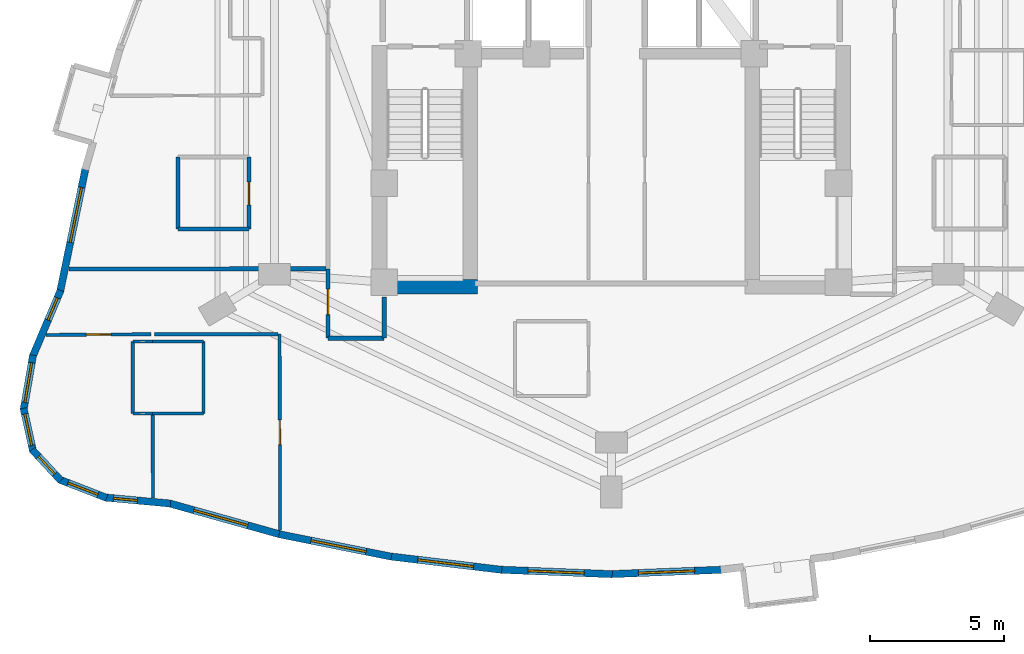
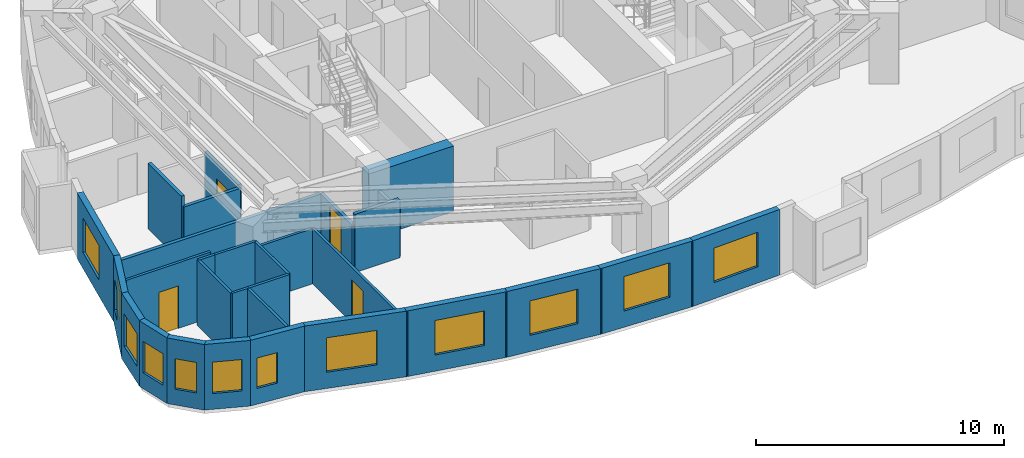
# One storey, part 8 of 14: 30 walls, 12 windows, 4 doors, 16 openings.
"""IFC4 building model written with IfcOpenShell, lengths in metres."""

from ifc_helpers import new_model, si_unit, direction, frame, frame_2d, origin, place, context, subcontext, project, spatial, rectangle, extrude, material, layer, layer_set, type_object, element, fill, save


model = new_model("IFC4")

# Units and contexts
model_context = context("Model", 3, precision=1e-05, world=origin(), true_north=direction((0.0, 1.0)))
body_context = subcontext(model_context, "Body", "Model", "MODEL_VIEW")
ifc_project = project(units=[si_unit("LENGTHUNIT", "METRE"), si_unit("AREAUNIT", "SQUARE_METRE"), si_unit("VOLUMEUNIT", "CUBIC_METRE"), si_unit("PLANEANGLEUNIT", "RADIAN"), si_unit("MASSUNIT", "GRAM", prefix="KILO")], contexts=[model_context])

# Site, building, storey
site_placement = place(None, origin())
site = spatial("IfcSite", under=ifc_project, at=site_placement, CompositionType="ELEMENT")
building_placement = place(site_placement, origin())
building = spatial("IfcBuilding", under=site, at=building_placement, Name="Miruveldt Soraemaru", CompositionType="ELEMENT")
storey_placement = place(building_placement, frame((0.0, 0.0, 117.89990234375)))
storey = spatial("IfcBuildingStorey", under=building, at=storey_placement, Name="L32", CompositionType="ELEMENT", Elevation=117.89990234375)

# Wall
ifc_material_1 = material(Name="Concrete C70/85 (70 MPa)", Category="concrete")
ifc_layer_1 = layer(ifc_material_1, 0.550048828125, Name="Concrete C70/85 (70 MPa)", Category="concrete")
ifc_layer_set_1 = layer_set([ifc_layer_1], Name="Concrete C70/85 (70 MPa)")
wall_type_1 = type_object("IfcWallType", Name="WALL-CW-550", PredefinedType="SHEAR", material=ifc_layer_set_1)
wall_1_placement = place(storey_placement, frame((35.050048828125, 35.324951171875, 0.0), z_axis=(0.0, 0.0, 1.0), x_axis=(1.0, 0.0, 0.0)))
element("IfcWall", 1, at=wall_1_placement, inside=storey, type_object=wall_type_1, Name="L32 Central Core Shear Wall S1", PredefinedType="SHEAR", context=body_context, shape_type="SweptSolid", body=[
    extrude(rectangle(XDim=3.949951171875, YDim=0.550048828125, at=frame_2d((1.97509765625, 0.0))), origin(), (0.0, 0.0, 1.0), 3.235107421875),
])

# Wall, opening, window
ifc_material_2 = material(Name="Precast concrete C45/55 (45 MPa)", Category="concrete")
ifc_layer_2 = layer(ifc_material_2, 0.27001953125, Name="Precast concrete C45/55 (45 MPa)", Category="concrete")
ifc_layer_set_2 = layer_set([ifc_layer_2], Name="Precast concrete C45/55 (45 MPa)")
wall_type_2 = type_object("IfcWallType", Name="WALL-EXT-PC270", PredefinedType="SOLIDWALL", material=ifc_layer_set_2)
wall_2_placement = place(storey_placement, frame((24.32568359375, 39.778564453125, 0.0), z_axis=(0.0, 0.0, 1.0), x_axis=(-0.201634082023, -0.979460921613, 0.0)))
wall_2 = element("IfcWall", 2, at=wall_2_placement, inside=storey, type_object=wall_type_2, Name="L32 Precast Concrete Facade Wall 14", PredefinedType="SOLIDWALL", context=body_context, shape_type="SweptSolid", body=[
    extrude(rectangle(XDim=4.753662109375, YDim=0.27001953125, at=frame_2d((2.376953125, 0.0))), origin(), (0.0, 0.0, 1.0), 3.235107421875),
])
opening_1_placement = place(wall_2_placement, frame((0.75, 0.0, 0.800048828125)))
opening_1 = element("IfcOpeningElement", 3, at=opening_1_placement, cuts=wall_2, Name="Opening WN-1", PredefinedType="OPENING", context=body_context, shape_type="SweptSolid", body=[
    extrude(rectangle(XDim=2.10009765625, YDim=1.699951171875, at=frame_2d((1.050048828125, 0.85009765625))), frame((0.0, 0.14501953125, 0.0), z_axis=(0.0, -1.0, 0.0), x_axis=(1.0, 0.0, 0.0)), (0.0, 0.0, 1.0), 0.2900390625),
])
ifc_material_3 = material(Name="Triple low-e insulated glazing", Category="glass")
window_type_1 = type_object("IfcWindowType", Name="WIN-PUNCH-2100x1700", PartitioningType="SINGLE_PANEL", PredefinedType="WINDOW", material=ifc_material_3)
window_1_placement = place(opening_1_placement, origin())
window_1 = element("IfcWindow", 4, at=window_1_placement, inside=storey, type_object=window_type_1, Name="L32 Punched Triple-Glazed Window 14.1", OverallHeight=1.699951171875, OverallWidth=2.10009765625, PartitioningType="SINGLE_PANEL", PredefinedType="WINDOW", context=body_context, shape_type="SweptSolid", body=[
    extrude(rectangle(XDim=2.10009765625, YDim=1.699951171875, at=frame_2d((1.050048828125, 0.85009765625))), frame((0.0, 0.030029296875, 0.0), z_axis=(0.0, -1.0, 0.0), x_axis=(1.0, 0.0, 0.0)), (0.0, 0.0, 1.0), 0.06005859375),
])
fill(opening_1, window_1)

wall_3_placement = place(storey_placement, frame((23.387939453125, 35.18896484375, 0.0), z_axis=(0.0, 0.0, 1.0), x_axis=(-0.388626230433, -0.921395492185, 0.0)))
wall_3 = element("IfcWall", 5, at=wall_3_placement, inside=storey, type_object=wall_type_2, Name="L32 Precast Concrete Facade Wall 15", PredefinedType="SOLIDWALL", context=body_context, shape_type="SweptSolid", body=[
    extrude(rectangle(XDim=2.703125, YDim=0.27001953125, at=frame_2d((1.3515625, 0.0))), origin(), (0.0, 0.0, 1.0), 3.235107421875),
])
opening_2_placement = place(wall_3_placement, frame((0.302001953125, 0.0, 0.780029296875)))
opening_2 = element("IfcOpeningElement", 6, at=opening_2_placement, cuts=wall_3, Name="Opening WN-7", PredefinedType="OPENING", context=body_context, shape_type="SweptSolid", body=[
    extrude(rectangle(XDim=0.89990234375, YDim=1.5, at=frame_2d((0.449951171875, 0.75))), frame((0.0, 0.14501953125, 0.0), z_axis=(0.0, -1.0, 0.0), x_axis=(1.0, 0.0, 0.0)), (0.0, 0.0, 1.0), 0.2900390625),
])
window_type_2 = type_object("IfcWindowType", Name="WIN-PUNCH-900x1500", PartitioningType="SINGLE_PANEL", PredefinedType="WINDOW", material=ifc_material_3)
window_2_placement = place(opening_2_placement, origin())
window_2 = element("IfcWindow", 7, at=window_2_placement, inside=storey, type_object=window_type_2, Name="L32 Punched Triple-Glazed Window 15.1", OverallHeight=1.5, OverallWidth=0.89990234375, PartitioningType="SINGLE_PANEL", PredefinedType="WINDOW", context=body_context, shape_type="SweptSolid", body=[
    extrude(rectangle(XDim=0.89990234375, YDim=1.5, at=frame_2d((0.449951171875, 0.75))), frame((0.0, 0.030029296875, 0.0), z_axis=(0.0, -1.0, 0.0), x_axis=(1.0, 0.0, 0.0)), (0.0, 0.0, 1.0), 0.06005859375),
])
fill(opening_2, window_2)

wall_4_placement = place(storey_placement, frame((22.35693359375, 32.764892578125, 0.0), z_axis=(0.0, 0.0, 1.0), x_axis=(-0.16937343878, -0.985551945986, 0.0)))
wall_4 = element("IfcWall", 8, at=wall_4_placement, inside=storey, type_object=wall_type_2, Name="L32 Precast Concrete Facade Wall 16", PredefinedType="SOLIDWALL", context=body_context, shape_type="SweptSolid", body=[
    extrude(rectangle(XDim=2.084228515625, YDim=0.27001953125, at=frame_2d((1.0419921875, 0.0))), origin(), (0.0, 0.0, 1.0), 3.235107421875),
])
opening_3_placement = place(wall_4_placement, frame((0.2919921875, 0.0, 0.800048828125)))
opening_3 = element("IfcOpeningElement", 9, at=opening_3_placement, cuts=wall_4, Name="Opening WN-3", PredefinedType="OPENING", context=body_context, shape_type="SweptSolid", body=[
    extrude(rectangle(XDim=1.5, YDim=1.60009765625, at=frame_2d((0.75, 0.800048828125))), frame((0.0, 0.14501953125, 0.0), z_axis=(0.0, -1.0, 0.0), x_axis=(1.0, 0.0, 0.0)), (0.0, 0.0, 1.0), 0.2900390625),
])
window_type_3 = type_object("IfcWindowType", Name="WIN-PUNCH-1500x1600", PartitioningType="SINGLE_PANEL", PredefinedType="WINDOW", material=ifc_material_3)
window_3_placement = place(opening_3_placement, origin())
window_3 = element("IfcWindow", 10, at=window_3_placement, inside=storey, type_object=window_type_3, Name="L32 Punched Triple-Glazed Window 16.1", OverallHeight=1.60009765625, OverallWidth=1.5, PartitioningType="SINGLE_PANEL", PredefinedType="WINDOW", context=body_context, shape_type="SweptSolid", body=[
    extrude(rectangle(XDim=1.5, YDim=1.60009765625, at=frame_2d((0.75, 0.800048828125))), frame((0.0, 0.030029296875, 0.0), z_axis=(0.0, -1.0, 0.0), x_axis=(1.0, 0.0, 0.0)), (0.0, 0.0, 1.0), 0.06005859375),
])
fill(opening_3, window_3)

wall_5_placement = place(storey_placement, frame((22.002197265625, 30.779296875, 0.0), z_axis=(0.0, 0.0, 1.0), x_axis=(0.215865785232, -0.976423044979, 0.0)))
wall_5 = element("IfcWall", 11, at=wall_5_placement, inside=storey, type_object=wall_type_2, Name="L32 Precast Concrete Facade Wall 17", PredefinedType="SOLIDWALL", context=body_context, shape_type="SweptSolid", body=[
    extrude(rectangle(XDim=1.651123046875, YDim=0.27001953125, at=frame_2d((0.82568359375, 0.0))), origin(), (0.0, 0.0, 1.0), 3.235107421875),
])
opening_4_placement = place(wall_5_placement, frame((0.22607421875, 0.0, 0.780029296875)))
opening_4 = element("IfcOpeningElement", 12, at=opening_4_placement, cuts=wall_5, Name="Opening WN-4", PredefinedType="OPENING", context=body_context, shape_type="SweptSolid", body=[
    extrude(rectangle(XDim=1.199951171875, YDim=1.550048828125, at=frame_2d((0.60009765625, 0.77490234375))), frame((0.0, 0.14501953125, 0.0), z_axis=(0.0, -1.0, 0.0), x_axis=(1.0, 0.0, 0.0)), (0.0, 0.0, 1.0), 0.2900390625),
])
window_type_4 = type_object("IfcWindowType", Name="WIN-PUNCH-1200x1550", PartitioningType="SINGLE_PANEL", PredefinedType="WINDOW", material=ifc_material_3)
window_4_placement = place(opening_4_placement, origin())
window_4 = element("IfcWindow", 13, at=window_4_placement, inside=storey, type_object=window_type_4, Name="L32 Punched Triple-Glazed Window 17.1", OverallHeight=1.550048828125, OverallWidth=1.199951171875, PartitioningType="SINGLE_PANEL", PredefinedType="WINDOW", context=body_context, shape_type="SweptSolid", body=[
    extrude(rectangle(XDim=1.199951171875, YDim=1.550048828125, at=frame_2d((0.60009765625, 0.77490234375))), frame((0.0, 0.030029296875, 0.0), z_axis=(0.0, -1.0, 0.0), x_axis=(1.0, 0.0, 0.0)), (0.0, 0.0, 1.0), 0.06005859375),
])
fill(opening_4, window_4)

wall_6_placement = place(storey_placement, frame((22.327392578125, 29.226806640625, 0.0), z_axis=(0.0, 0.0, 1.0), x_axis=(0.680094167745, -0.733124766325, 0.0)))
wall_6 = element("IfcWall", 14, at=wall_6_placement, inside=storey, type_object=wall_type_2, Name="L32 Precast Concrete Facade Wall 18", PredefinedType="SOLIDWALL", context=body_context, shape_type="SweptSolid", body=[
    extrude(rectangle(XDim=1.574462890625, YDim=0.27001953125, at=frame_2d((0.787109375, 0.0))), origin(), (0.0, 0.0, 1.0), 3.235107421875),
])
opening_5_placement = place(wall_6_placement, frame((0.3369140625, 0.0, 0.780029296875)))
opening_5 = element("IfcOpeningElement", 15, at=opening_5_placement, cuts=wall_6, Name="Opening WN-7", PredefinedType="OPENING", context=body_context, shape_type="SweptSolid", body=[
    extrude(rectangle(XDim=0.89990234375, YDim=1.5, at=frame_2d((0.449951171875, 0.75))), frame((0.0, 0.14501953125, 0.0), z_axis=(0.0, -1.0, 0.0), x_axis=(1.0, 0.0, 0.0)), (0.0, 0.0, 1.0), 0.2900390625),
])
window_5_placement = place(opening_5_placement, origin())
window_5 = element("IfcWindow", 16, at=window_5_placement, inside=storey, type_object=window_type_2, Name="L32 Punched Triple-Glazed Window 18.1", OverallHeight=1.5, OverallWidth=0.89990234375, PartitioningType="SINGLE_PANEL", PredefinedType="WINDOW", context=body_context, shape_type="SweptSolid", body=[
    extrude(rectangle(XDim=0.89990234375, YDim=1.5, at=frame_2d((0.449951171875, 0.75))), frame((0.0, 0.030029296875, 0.0), z_axis=(0.0, -1.0, 0.0), x_axis=(1.0, 0.0, 0.0)), (0.0, 0.0, 1.0), 0.06005859375),
])
fill(opening_5, window_5)

wall_7_placement = place(storey_placement, frame((23.341796875, 28.11083984375, 0.0), z_axis=(0.0, 0.0, 1.0), x_axis=(0.932248087426, -0.361819711306, 0.0)))
wall_7 = element("IfcWall", 17, at=wall_7_placement, inside=storey, type_object=wall_type_2, Name="L32 Precast Concrete Facade Wall 19", PredefinedType="SOLIDWALL", context=body_context, shape_type="SweptSolid", body=[
    extrude(rectangle(XDim=1.8994140625, YDim=0.27001953125, at=frame_2d((0.94970703125, 0.0))), origin(), (0.0, 0.0, 1.0), 3.235107421875),
])
opening_6_placement = place(wall_7_placement, frame((0.35009765625, 0.0, 0.780029296875)))
opening_6 = element("IfcOpeningElement", 18, at=opening_6_placement, cuts=wall_7, Name="Opening WN-4", PredefinedType="OPENING", context=body_context, shape_type="SweptSolid", body=[
    extrude(rectangle(XDim=1.199951171875, YDim=1.550048828125, at=frame_2d((0.60009765625, 0.77490234375))), frame((0.0, 0.14501953125, 0.0), z_axis=(0.0, -1.0, 0.0), x_axis=(1.0, 0.0, 0.0)), (0.0, 0.0, 1.0), 0.2900390625),
])
window_6_placement = place(opening_6_placement, origin())
window_6 = element("IfcWindow", 19, at=window_6_placement, inside=storey, type_object=window_type_4, Name="L32 Punched Triple-Glazed Window 19.1", OverallHeight=1.550048828125, OverallWidth=1.199951171875, PartitioningType="SINGLE_PANEL", PredefinedType="WINDOW", context=body_context, shape_type="SweptSolid", body=[
    extrude(rectangle(XDim=1.199951171875, YDim=1.550048828125, at=frame_2d((0.60009765625, 0.77490234375))), frame((0.0, 0.030029296875, 0.0), z_axis=(0.0, -1.0, 0.0), x_axis=(1.0, 0.0, 0.0)), (0.0, 0.0, 1.0), 0.06005859375),
])
fill(opening_6, window_6)

wall_8_placement = place(storey_placement, frame((25.045166015625, 27.439697265625, 0.0), z_axis=(0.0, 0.0, 1.0), x_axis=(0.995759153727, -0.091998411779, 0.0)))
wall_8 = element("IfcWall", 20, at=wall_8_placement, inside=storey, type_object=wall_type_2, Name="L32 Precast Concrete Facade Wall 20", PredefinedType="SOLIDWALL", context=body_context, shape_type="SweptSolid", body=[
    extrude(rectangle(XDim=2.468017578125, YDim=0.27001953125, at=frame_2d((1.23388671875, 0.0))), origin(), (0.0, 0.0, 1.0), 3.235107421875),
])
opening_7_placement = place(wall_8_placement, frame((0.325927734375, 0.0, 0.780029296875)))
opening_7 = element("IfcOpeningElement", 21, at=opening_7_placement, cuts=wall_8, Name="Opening WN-7", PredefinedType="OPENING", context=body_context, shape_type="SweptSolid", body=[
    extrude(rectangle(XDim=0.89990234375, YDim=1.5, at=frame_2d((0.449951171875, 0.75))), frame((0.0, 0.14501953125, 0.0), z_axis=(0.0, -1.0, 0.0), x_axis=(1.0, 0.0, 0.0)), (0.0, 0.0, 1.0), 0.2900390625),
])
window_7_placement = place(opening_7_placement, origin())
window_7 = element("IfcWindow", 22, at=window_7_placement, inside=storey, type_object=window_type_2, Name="L32 Punched Triple-Glazed Window 20.1", OverallHeight=1.5, OverallWidth=0.89990234375, PartitioningType="SINGLE_PANEL", PredefinedType="WINDOW", context=body_context, shape_type="SweptSolid", body=[
    extrude(rectangle(XDim=0.89990234375, YDim=1.5, at=frame_2d((0.449951171875, 0.75))), frame((0.0, 0.030029296875, 0.0), z_axis=(0.0, -1.0, 0.0), x_axis=(1.0, 0.0, 0.0)), (0.0, 0.0, 1.0), 0.06005859375),
])
fill(opening_7, window_7)

wall_9_placement = place(storey_placement, frame((27.43408203125, 27.225341796875, 0.0), z_axis=(0.0, 0.0, 1.0), x_axis=(0.962969832435, -0.269609164943, 0.0)))
wall_9 = element("IfcWall", 23, at=wall_9_placement, inside=storey, type_object=wall_type_2, Name="L32 Precast Concrete Facade Wall 21", PredefinedType="SOLIDWALL", context=body_context, shape_type="SweptSolid", body=[
    extrude(rectangle(XDim=4.362060546875, YDim=0.27001953125, at=frame_2d((2.18115234375, 0.0))), origin(), (0.0, 0.0, 1.0), 3.235107421875),
])
opening_8_placement = place(wall_9_placement, frame((0.97412109375, 0.0, 0.800048828125)))
opening_8 = element("IfcOpeningElement", 24, at=opening_8_placement, cuts=wall_9, Name="Opening WN-1", PredefinedType="OPENING", context=body_context, shape_type="SweptSolid", body=[
    extrude(rectangle(XDim=2.10009765625, YDim=1.699951171875, at=frame_2d((1.050048828125, 0.85009765625))), frame((0.0, 0.14501953125, 0.0), z_axis=(0.0, -1.0, 0.0), x_axis=(1.0, 0.0, 0.0)), (0.0, 0.0, 1.0), 0.2900390625),
])
window_8_placement = place(opening_8_placement, origin())
window_8 = element("IfcWindow", 25, at=window_8_placement, inside=storey, type_object=window_type_1, Name="L32 Punched Triple-Glazed Window 21.1", OverallHeight=1.699951171875, OverallWidth=2.10009765625, PartitioningType="SINGLE_PANEL", PredefinedType="WINDOW", context=body_context, shape_type="SweptSolid", body=[
    extrude(rectangle(XDim=2.10009765625, YDim=1.699951171875, at=frame_2d((1.050048828125, 0.85009765625))), frame((0.0, 0.030029296875, 0.0), z_axis=(0.0, -1.0, 0.0), x_axis=(1.0, 0.0, 0.0)), (0.0, 0.0, 1.0), 0.06005859375),
])
fill(opening_8, window_8)

wall_10_placement = place(storey_placement, frame((31.566650390625, 26.0654296875, 0.0), z_axis=(0.0, 0.0, 1.0), x_axis=(0.980580675691, -0.196116135138, 0.0)))
wall_10 = element("IfcWall", 26, at=wall_10_placement, inside=storey, type_object=wall_type_2, Name="L32 Precast Concrete Facade Wall 22", PredefinedType="SOLIDWALL", context=body_context, shape_type="SweptSolid", body=[
    extrude(rectangle(XDim=4.284912109375, YDim=0.27001953125, at=frame_2d((2.142578125, 0.0))), origin(), (0.0, 0.0, 1.0), 3.235107421875),
])
opening_9_placement = place(wall_10_placement, frame((1.217041015625, 0.0, 0.800048828125)))
opening_9 = element("IfcOpeningElement", 27, at=opening_9_placement, cuts=wall_10, Name="Opening WN-1", PredefinedType="OPENING", context=body_context, shape_type="SweptSolid", body=[
    extrude(rectangle(XDim=2.10009765625, YDim=1.699951171875, at=frame_2d((1.050048828125, 0.85009765625))), frame((0.0, 0.14501953125, 0.0), z_axis=(0.0, -1.0, 0.0), x_axis=(1.0, 0.0, 0.0)), (0.0, 0.0, 1.0), 0.2900390625),
])
window_9_placement = place(opening_9_placement, origin())
window_9 = element("IfcWindow", 28, at=window_9_placement, inside=storey, type_object=window_type_1, Name="L32 Punched Triple-Glazed Window 22.1", OverallHeight=1.699951171875, OverallWidth=2.10009765625, PartitioningType="SINGLE_PANEL", PredefinedType="WINDOW", context=body_context, shape_type="SweptSolid", body=[
    extrude(rectangle(XDim=2.10009765625, YDim=1.699951171875, at=frame_2d((1.050048828125, 0.85009765625))), frame((0.0, 0.030029296875, 0.0), z_axis=(0.0, -1.0, 0.0), x_axis=(1.0, 0.0, 0.0)), (0.0, 0.0, 1.0), 0.06005859375),
])
fill(opening_9, window_9)

wall_11_placement = place(storey_placement, frame((35.69921875, 25.236083984375, 0.0), z_axis=(0.0, 0.0, 1.0), x_axis=(0.992874654914, -0.119163415653, 0.0)))
wall_11 = element("IfcWall", 29, at=wall_11_placement, inside=storey, type_object=wall_type_2, Name="L32 Precast Concrete Facade Wall 23", PredefinedType="SOLIDWALL", context=body_context, shape_type="SweptSolid", body=[
    extrude(rectangle(XDim=4.23291015625, YDim=0.27001953125, at=frame_2d((2.116455078125, 0.0))), origin(), (0.0, 0.0, 1.0), 3.235107421875),
])
opening_10_placement = place(wall_11_placement, frame((1.06591796875, 0.0, 0.800048828125)))
opening_10 = element("IfcOpeningElement", 30, at=opening_10_placement, cuts=wall_11, Name="Opening WN-1", PredefinedType="OPENING", context=body_context, shape_type="SweptSolid", body=[
    extrude(rectangle(XDim=2.10009765625, YDim=1.699951171875, at=frame_2d((1.050048828125, 0.85009765625))), frame((0.0, 0.14501953125, 0.0), z_axis=(0.0, -1.0, 0.0), x_axis=(1.0, 0.0, 0.0)), (0.0, 0.0, 1.0), 0.2900390625),
])
window_10_placement = place(opening_10_placement, origin())
window_10 = element("IfcWindow", 31, at=window_10_placement, inside=storey, type_object=window_type_1, Name="L32 Punched Triple-Glazed Window 23.1", OverallHeight=1.699951171875, OverallWidth=2.10009765625, PartitioningType="SINGLE_PANEL", PredefinedType="WINDOW", context=body_context, shape_type="SweptSolid", body=[
    extrude(rectangle(XDim=2.10009765625, YDim=1.699951171875, at=frame_2d((1.050048828125, 0.85009765625))), frame((0.0, 0.030029296875, 0.0), z_axis=(0.0, -1.0, 0.0), x_axis=(1.0, 0.0, 0.0)), (0.0, 0.0, 1.0), 0.06005859375),
])
fill(opening_10, window_10)

wall_12_placement = place(storey_placement, frame((39.83203125, 24.7373046875, 0.0), z_axis=(0.0, 0.0, 1.0), x_axis=(0.999202348913, -0.039933268432, 0.0)))
wall_12 = element("IfcWall", 32, at=wall_12_placement, inside=storey, type_object=wall_type_2, Name="L32 Precast Concrete Facade Wall 24", PredefinedType="SOLIDWALL", context=body_context, shape_type="SweptSolid", body=[
    extrude(rectangle(XDim=4.206298828125, YDim=0.27001953125, at=frame_2d((2.10302734375, 0.0))), origin(), (0.0, 0.0, 1.0), 3.235107421875),
])
opening_11_placement = place(wall_12_placement, frame((1.052978515625, 0.0, 0.800048828125)))
opening_11 = element("IfcOpeningElement", 33, at=opening_11_placement, cuts=wall_12, Name="Opening WN-1", PredefinedType="OPENING", context=body_context, shape_type="SweptSolid", body=[
    extrude(rectangle(XDim=2.10009765625, YDim=1.699951171875, at=frame_2d((1.050048828125, 0.85009765625))), frame((0.0, 0.14501953125, 0.0), z_axis=(0.0, -1.0, 0.0), x_axis=(1.0, 0.0, 0.0)), (0.0, 0.0, 1.0), 0.2900390625),
])
window_11_placement = place(opening_11_placement, origin())
window_11 = element("IfcWindow", 34, at=window_11_placement, inside=storey, type_object=window_type_1, Name="L32 Punched Triple-Glazed Window 24.1", OverallHeight=1.699951171875, OverallWidth=2.10009765625, PartitioningType="SINGLE_PANEL", PredefinedType="WINDOW", context=body_context, shape_type="SweptSolid", body=[
    extrude(rectangle(XDim=2.10009765625, YDim=1.699951171875, at=frame_2d((1.050048828125, 0.85009765625))), frame((0.0, 0.030029296875, 0.0), z_axis=(0.0, -1.0, 0.0), x_axis=(1.0, 0.0, 0.0)), (0.0, 0.0, 1.0), 0.06005859375),
])
fill(opening_11, window_11)

wall_13_placement = place(storey_placement, frame((43.965087890625, 24.5693359375, 0.0), z_axis=(0.0, 0.0, 1.0), x_axis=(0.999202348913, 0.039933268432, 0.0)))
wall_13 = element("IfcWall", 35, at=wall_13_placement, inside=storey, type_object=wall_type_2, Name="L32 Precast Concrete Facade Wall 25", PredefinedType="SOLIDWALL", context=body_context, shape_type="SweptSolid", body=[
    extrude(rectangle(XDim=4.206298828125, YDim=0.27001953125, at=frame_2d((2.10302734375, 0.0))), origin(), (0.0, 0.0, 1.0), 3.235107421875),
])
opening_12_placement = place(wall_13_placement, frame((1.052978515625, 0.0, 0.800048828125)))
opening_12 = element("IfcOpeningElement", 36, at=opening_12_placement, cuts=wall_13, Name="Opening WN-1", PredefinedType="OPENING", context=body_context, shape_type="SweptSolid", body=[
    extrude(rectangle(XDim=2.10009765625, YDim=1.699951171875, at=frame_2d((1.050048828125, 0.85009765625))), frame((0.0, 0.14501953125, 0.0), z_axis=(0.0, -1.0, 0.0), x_axis=(1.0, 0.0, 0.0)), (0.0, 0.0, 1.0), 0.2900390625),
])
window_12_placement = place(opening_12_placement, origin())
window_12 = element("IfcWindow", 37, at=window_12_placement, inside=storey, type_object=window_type_1, Name="L32 Punched Triple-Glazed Window 25.1", OverallHeight=1.699951171875, OverallWidth=2.10009765625, PartitioningType="SINGLE_PANEL", PredefinedType="WINDOW", context=body_context, shape_type="SweptSolid", body=[
    extrude(rectangle(XDim=2.10009765625, YDim=1.699951171875, at=frame_2d((1.050048828125, 0.85009765625))), frame((0.0, 0.030029296875, 0.0), z_axis=(0.0, -1.0, 0.0), x_axis=(1.0, 0.0, 0.0)), (0.0, 0.0, 1.0), 0.06005859375),
])
fill(opening_12, window_12)

# Wall, opening, door
ifc_material_4 = material(Name="Gypsum plasterboard lining", Category="gypsum")
ifc_layer_3 = layer(ifc_material_4, 0.1201171875, Name="Gypsum plasterboard lining", Category="gypsum")
ifc_layer_set_3 = layer_set([ifc_layer_3], Name="Gypsum plasterboard lining")
wall_type_3 = type_object("IfcWallType", Name="WALL-INT-P120", PredefinedType="PARTITIONING", material=ifc_layer_set_3)
wall_14_placement = place(storey_placement, frame((31.5849609375, 33.550048828125, 0.0), z_axis=(0.0, 0.0, 1.0), x_axis=(0.002595837899, -0.999996630807, 0.0)))
wall_14 = element("IfcWall", 38, at=wall_14_placement, inside=storey, type_object=wall_type_3, Name="L32 Partition Wall 69", PredefinedType="PARTITIONING", context=body_context, shape_type="SweptSolid", body=[
    extrude(rectangle(XDim=7.3359375, YDim=0.1201171875, at=frame_2d((3.66796875, 0.0))), origin(), (0.0, 0.0, 1.0), 2.72314453125),
])
opening_13_placement = place(wall_14_placement, frame((3.2080078125, 0.0, 0.0)))
opening_13 = element("IfcOpeningElement", 39, at=opening_13_placement, cuts=wall_14, Name="Opening D3A", PredefinedType="OPENING", context=body_context, shape_type="SweptSolid", body=[
    extrude(rectangle(XDim=0.919921875, YDim=2.10009765625, at=frame_2d((0.4599609375, 1.050048828125))), frame((0.0, 0.070068359375, 0.0), z_axis=(0.0, -1.0, 0.0), x_axis=(1.0, 0.0, 0.0)), (0.0, 0.0, 1.0), 0.14013671875),
])
ifc_material_5 = material(Name="Anodised aluminium EN AW-6063 T6", Category="aluminium")
door_type_1 = type_object("IfcDoorType", Name="DOOR-INT-920", OperationType="NOTDEFINED", PredefinedType="DOOR", material=ifc_material_5)
door_1_placement = place(opening_13_placement, origin())
door_1 = element("IfcDoor", 40, at=door_1_placement, inside=storey, type_object=door_type_1, Name="L32 Unit 3205 BD2 Door", OperationType="SINGLE_SWING_LEFT", OverallHeight=2.10009765625, OverallWidth=0.919921875, PredefinedType="DOOR", context=body_context, shape_type="SweptSolid", body=[
    extrude(rectangle(XDim=0.919921875, YDim=2.10009765625, at=frame_2d((0.4599609375, 1.050048828125))), frame((0.0, 0.02490234375, 0.0), z_axis=(0.0, -1.0, 0.0), x_axis=(1.0, 0.0, 0.0)), (0.0, 0.0, 1.0), 0.050048828125),
])
fill(opening_13, door_1)

wall_15_placement = place(storey_placement, frame((22.847900390625, 33.52294921875, 0.0), z_axis=(0.0, 0.0, 1.0), x_axis=(0.999976228498, 0.006895102582, 0.0)))
wall_15 = element("IfcWall", 41, at=wall_15_placement, inside=storey, type_object=wall_type_3, Name="L32 Partition Wall 67", PredefinedType="PARTITIONING", context=body_context, shape_type="SweptSolid", body=[
    extrude(rectangle(XDim=3.93017578125, YDim=0.1201171875, at=frame_2d((1.965087890625, 0.0))), origin(), (0.0, 0.0, 1.0), 3.235107421875),
])
opening_14_placement = place(wall_15_placement, frame((1.5048828125, 0.0, 0.0)))
opening_14 = element("IfcOpeningElement", 42, at=opening_14_placement, cuts=wall_15, Name="Opening D3A", PredefinedType="OPENING", context=body_context, shape_type="SweptSolid", body=[
    extrude(rectangle(XDim=0.919921875, YDim=2.10009765625, at=frame_2d((0.4599609375, 1.050048828125))), frame((0.0, 0.070068359375, 0.0), z_axis=(0.0, -1.0, 0.0), x_axis=(1.0, 0.0, 0.0)), (0.0, 0.0, 1.0), 0.14013671875),
])
door_2_placement = place(opening_14_placement, origin())
door_2 = element("IfcDoor", 43, at=door_2_placement, inside=storey, type_object=door_type_1, Name="L32 Unit 3205 BD1 Door", OperationType="SINGLE_SWING_RIGHT", OverallHeight=2.10009765625, OverallWidth=0.919921875, PredefinedType="DOOR", context=body_context, shape_type="SweptSolid", body=[
    extrude(rectangle(XDim=0.919921875, YDim=2.10009765625, at=frame_2d((0.4599609375, 1.050048828125))), frame((0.0, 0.02490234375, 0.0), z_axis=(0.0, -1.0, 0.0), x_axis=(1.0, 0.0, 0.0)), (0.0, 0.0, 1.0), 0.050048828125),
])
fill(opening_14, door_2)

# Walls
wall_16_placement = place(storey_placement, frame((26.89794921875, 33.550048828125, 0.0), z_axis=(0.0, 0.0, 1.0), x_axis=(1.0, 0.0, 0.0)))
element("IfcWall", 44, at=wall_16_placement, inside=storey, type_object=wall_type_3, Name="L32 Partition Wall 68", PredefinedType="PARTITIONING", context=body_context, shape_type="SweptSolid", body=[
    extrude(rectangle(XDim=4.626953125, YDim=0.1201171875, at=frame_2d((2.3134765625, 0.0))), origin(), (0.0, 0.0, 1.0), 2.72314453125),
])
wall_17_placement = place(storey_placement, frame((26.843994140625, 27.424072265625, 0.0), z_axis=(0.0, 0.0, 1.0), x_axis=(-0.001932139527, 0.999998133417, 0.0)))
element("IfcWall", 45, at=wall_17_placement, inside=storey, type_object=wall_type_3, Name="L32 Partition Wall 70", PredefinedType="PARTITIONING", context=body_context, shape_type="SweptSolid", body=[
    extrude(rectangle(XDim=3.158935546875, YDim=0.1201171875, at=frame_2d((1.57958984375, 0.0))), origin(), (0.0, 0.0, 1.0), 3.235107421875),
])
for number, where, z_axis, x_axis, name in (
    (46, (26.090087890625, 33.282958984375, 0.0), (0.0, 0.0, 1.0), (0.0, -1.0, 0.0), "L32 Partition Wall 73"),
    (47, (28.739990234375, 30.5830078125, 0.0), (0.0, 0.0, 1.0), (0.0, 1.0, 0.0), "L32 Partition Wall 76"),
):
    element("IfcWall", number, at=place(storey_placement, frame(where, z_axis=z_axis, x_axis=x_axis)), inside=storey, type_object=wall_type_3, Name=name, PredefinedType="PARTITIONING", context=body_context, shape_type="SweptSolid", body=[
        extrude(rectangle(XDim=2.699951171875, YDim=0.1201171875, at=frame_2d((1.35009765625, 0.0))), origin(), (0.0, 0.0, 1.0), 3.235107421875),
    ])
for number, where, z_axis, x_axis, name in (
    (48, (26.837890625, 30.5830078125, 0.0), (0.0, 0.0, 1.0), (1.0, 0.0, 0.0), "L32 Partition Wall 75"),
    (49, (28.739990234375, 33.282958984375, 0.0), (0.0, 0.0, 1.0), (-1.0, 0.0, 0.0), "L32 Partition Wall 77"),
):
    element("IfcWall", number, at=place(storey_placement, frame(where, z_axis=z_axis, x_axis=x_axis)), inside=storey, type_object=wall_type_3, Name=name, PredefinedType="PARTITIONING", context=body_context, shape_type="SweptSolid", body=[
        extrude(rectangle(XDim=1.902099609375, YDim=0.1201171875, at=frame_2d((0.951171875, 0.0))), origin(), (0.0, 0.0, 1.0), 3.235107421875),
    ])
for number, where, z_axis, x_axis, name in (
    (50, (26.837890625, 33.282958984375, 0.0), (0.0, 0.0, 1.0), (-1.0, 0.0, 0.0), "L32 Partition Wall 72"),
    (51, (26.090087890625, 30.5830078125, 0.0), (0.0, 0.0, 1.0), (1.0, 0.0, 0.0), "L32 Partition Wall 74"),
):
    element("IfcWall", number, at=place(storey_placement, frame(where, z_axis=z_axis, x_axis=x_axis)), inside=storey, type_object=wall_type_3, Name=name, PredefinedType="PARTITIONING", context=body_context, shape_type="SweptSolid", body=[
        extrude(rectangle(XDim=0.747802734375, YDim=0.1201171875, at=frame_2d((0.3740234375, 0.0))), origin(), (0.0, 0.0, 1.0), 3.235107421875),
    ])

# Wall, opening, door
ifc_layer_4 = layer(ifc_material_4, 0.14990234375, Name="Gypsum plasterboard lining", Category="gypsum")
ifc_layer_set_4 = layer_set([ifc_layer_4], Name="Gypsum plasterboard lining")
wall_type_4 = type_object("IfcWallType", Name="WALL-INT-PLUMB", PredefinedType="PLUMBINGWALL", material=ifc_layer_set_4)
wall_18_placement = place(storey_placement, frame((30.43798828125, 37.47998046875, 0.0), z_axis=(0.0, 0.0, 1.0), x_axis=(0.0, 1.0, 0.0)))
wall_18 = element("IfcWall", 52, at=wall_18_placement, inside=storey, type_object=wall_type_4, Name="L32 Partition Wall 36", PredefinedType="PLUMBINGWALL", context=body_context, shape_type="SweptSolid", body=[
    extrude(rectangle(XDim=2.699951171875, YDim=0.14990234375, at=frame_2d((1.35009765625, 0.0))), origin(), (0.0, 0.0, 1.0), 2.873046875),
])
opening_15_placement = place(wall_18_placement, frame((0.909912109375, 0.0, 0.0)))
opening_15 = element("IfcOpeningElement", 53, at=opening_15_placement, cuts=wall_18, Name="Opening FD3", PredefinedType="OPENING", context=body_context, shape_type="SweptSolid", body=[
    extrude(rectangle(XDim=0.85009765625, YDim=2.10009765625, at=frame_2d((0.425048828125, 1.050048828125))), frame((0.0, 0.0849609375, 0.0), z_axis=(0.0, -1.0, 0.0), x_axis=(1.0, 0.0, 0.0)), (0.0, 0.0, 1.0), 0.169921875),
])
door_type_2 = type_object("IfcDoorType", Name="DOOR-FD3-850", OperationType="NOTDEFINED", PredefinedType="DOOR", material=ifc_material_5)
door_3_placement = place(opening_15_placement, origin())
door_3 = element("IfcDoor", 54, at=door_3_placement, inside=storey, type_object=door_type_2, Name="L32 Unit 3203 BTH Door", OperationType="SINGLE_SWING_RIGHT", OverallHeight=2.10009765625, OverallWidth=0.85009765625, PredefinedType="DOOR", context=body_context, shape_type="SweptSolid", body=[
    extrude(rectangle(XDim=0.85009765625, YDim=2.10009765625, at=frame_2d((0.425048828125, 1.050048828125))), frame((0.0, 0.02490234375, 0.0), z_axis=(0.0, -1.0, 0.0), x_axis=(1.0, 0.0, 0.0)), (0.0, 0.0, 1.0), 0.050048828125),
])
fill(opening_15, door_3)

# Walls
wall_19_placement = place(storey_placement, frame((27.7880859375, 40.179931640625, 0.0), z_axis=(0.0, 0.0, 1.0), x_axis=(0.0, -1.0, 0.0)))
element("IfcWall", 55, at=wall_19_placement, inside=storey, type_object=wall_type_4, Name="L32 Partition Wall 38", PredefinedType="PLUMBINGWALL", context=body_context, shape_type="SweptSolid", body=[
    extrude(rectangle(XDim=2.699951171875, YDim=0.14990234375, at=frame_2d((1.35009765625, 0.0))), origin(), (0.0, 0.0, 1.0), 3.235107421875),
])
wall_20_placement = place(storey_placement, frame((27.7880859375, 37.47998046875, 0.0), z_axis=(0.0, 0.0, 1.0), x_axis=(1.0, 0.0, 0.0)))
element("IfcWall", 56, at=wall_20_placement, inside=storey, type_object=wall_type_4, Name="L32 Partition Wall 39", PredefinedType="PLUMBINGWALL", context=body_context, shape_type="SweptSolid", body=[
    extrude(rectangle(XDim=2.64990234375, YDim=0.14990234375, at=frame_2d((1.324951171875, 0.0))), origin(), (0.0, 0.0, 1.0), 2.72314453125),
])

# Wall, opening, door
ifc_material_6 = material(Name="Concrete C40/50 (40 MPa)", Category="concrete")
ifc_layer_5 = layer(ifc_material_6, 0.159912109375, Name="Concrete C40/50 (40 MPa)", Category="concrete")
ifc_layer_set_5 = layer_set([ifc_layer_5], Name="Concrete C40/50 (40 MPa)")
wall_type_5 = type_object("IfcWallType", Name="WALL-INT-RC160", PredefinedType="SOLIDWALL", material=ifc_layer_set_5)
wall_21_placement = place(storey_placement, frame((33.39990234375, 35.993896484375, 0.0), z_axis=(0.0, 0.0, 1.0), x_axis=(0.0, -1.0, 0.0)))
wall_21 = element("IfcWall", 57, at=wall_21_placement, inside=storey, type_object=wall_type_5, Name="L32 Partition Wall 5", PredefinedType="SOLIDWALL", context=body_context, shape_type="SweptSolid", body=[
    extrude(rectangle(XDim=2.593994140625, YDim=0.159912109375, at=frame_2d((1.296875, 0.0))), origin(), (0.0, 0.0, 1.0), 2.322998046875),
])
opening_16_placement = place(wall_21_placement, frame((0.760009765625, 0.0, 0.0)))
opening_16 = element("IfcOpeningElement", 58, at=opening_16_placement, cuts=wall_21, Name="Opening FD2", PredefinedType="OPENING", context=body_context, shape_type="SweptSolid", body=[
    extrude(rectangle(XDim=0.949951171875, YDim=2.14990234375, at=frame_2d((0.47509765625, 1.074951171875))), frame((0.0, 0.08984375, 0.0), z_axis=(0.0, -1.0, 0.0), x_axis=(1.0, 0.0, 0.0)), (0.0, 0.0, 1.0), 0.179931640625),
])
door_type_3 = type_object("IfcDoorType", Name="DOOR-FD2-950", OperationType="NOTDEFINED", PredefinedType="DOOR", material=ifc_material_5)
door_4_placement = place(opening_16_placement, origin())
door_4 = element("IfcDoor", 59, at=door_4_placement, inside=storey, type_object=door_type_3, Name="L32 Unit 3205 Entrance Fire Door", OperationType="SINGLE_SWING_RIGHT", OverallHeight=2.14990234375, OverallWidth=0.949951171875, PredefinedType="DOOR", context=body_context, shape_type="SweptSolid", body=[
    extrude(rectangle(XDim=0.949951171875, YDim=2.14990234375, at=frame_2d((0.47509765625, 1.074951171875))), frame((0.0, 0.02490234375, 0.0), z_axis=(0.0, -1.0, 0.0), x_axis=(1.0, 0.0, 0.0)), (0.0, 0.0, 1.0), 0.050048828125),
])
fill(opening_16, door_4)

# Walls
wall_22_placement = place(storey_placement, frame((23.697998046875, 35.987060546875, 0.0), z_axis=(0.0, 0.0, 1.0), x_axis=(0.999999094652, 0.001345620434, 0.0)))
element("IfcWall", 60, at=wall_22_placement, inside=storey, type_object=wall_type_5, Name="L32 Partition Wall 48", PredefinedType="SOLIDWALL", context=body_context, shape_type="SweptSolid", body=[
    extrude(rectangle(XDim=9.615966796875, YDim=0.159912109375, at=frame_2d((4.80810546875, 0.0))), origin(), (0.0, 0.0, 1.0), 2.322998046875),
])
wall_23_placement = place(storey_placement, frame((33.39990234375, 33.39990234375, 0.0), z_axis=(0.0, 0.0, 1.0), x_axis=(1.0, 0.0, 0.0)))
element("IfcWall", 61, at=wall_23_placement, inside=storey, type_object=wall_type_5, Name="L32 Partition Wall 6", PredefinedType="SOLIDWALL", context=body_context, shape_type="SweptSolid", body=[
    extrude(rectangle(XDim=2.10009765625, YDim=0.159912109375, at=frame_2d((1.050048828125, 0.0))), origin(), (0.0, 0.0, 1.0), 2.873046875),
])
wall_24_placement = place(storey_placement, frame((35.5, 33.39990234375, 0.0), z_axis=(0.0, 0.0, 1.0), x_axis=(0.0, 1.0, 0.0)))
element("IfcWall", 62, at=wall_24_placement, inside=storey, type_object=wall_type_5, Name="L32 Partition Wall 7", PredefinedType="SOLIDWALL", context=body_context, shape_type="SweptSolid", body=[
    extrude(rectangle(XDim=1.544189453125, YDim=0.159912109375, at=frame_2d((0.77197265625, 0.0))), origin(), (0.0, 0.0, 1.0), 2.322998046875),
])

save(model, "model.ifc")
